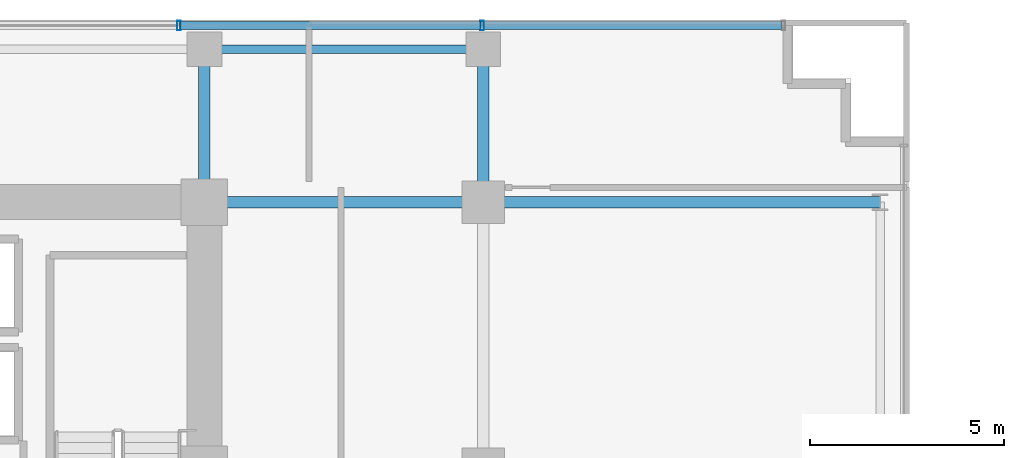
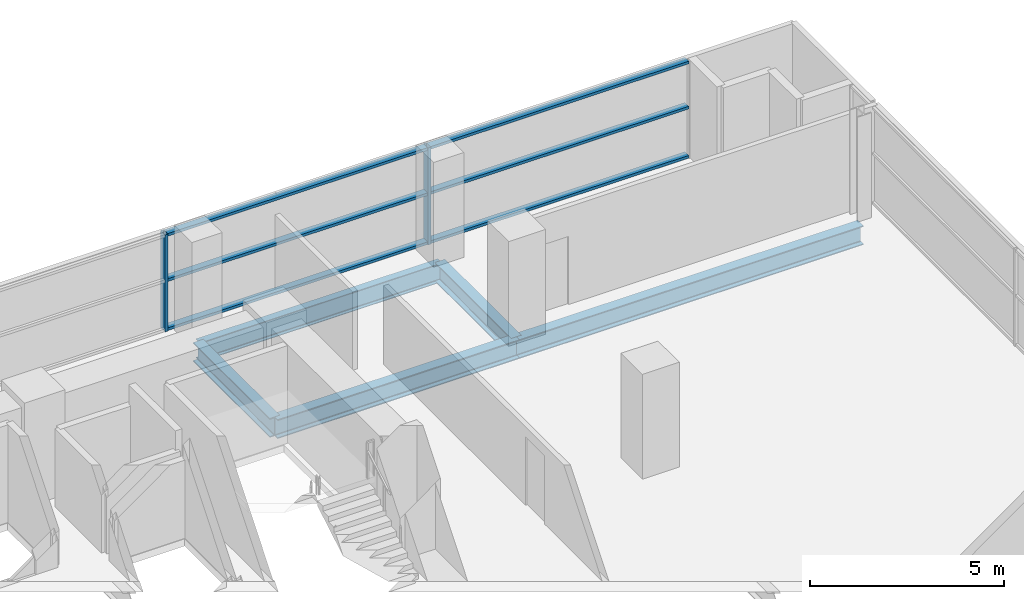
# One storey, part 18 of 28: 8 members, 5 beams, 1 element without a shape of its own.
"""IFC4 building model written with IfcOpenShell, lengths in metres."""

from ifc_helpers import new_model, si_unit, direction, frame, origin, origin_2d, place, context, subcontext, project, spatial, hollow_rectangle, i_section, extrude, source, transform, mapped, material, layer, layer_set, material_profile, profile_set, type_object, element, aggregate, save


model = new_model("IFC4")

# Units and contexts
model_context = context("Model", 3, precision=1e-05, world=origin(), true_north=direction((0.0, 1.0)))
body_context = subcontext(model_context, "Body", "Model", "MODEL_VIEW")
ifc_project = project(units=[si_unit("LENGTHUNIT", "METRE"), si_unit("AREAUNIT", "SQUARE_METRE"), si_unit("VOLUMEUNIT", "CUBIC_METRE"), si_unit("PLANEANGLEUNIT", "RADIAN"), si_unit("MASSUNIT", "GRAM", prefix="KILO")], contexts=[model_context])

# Site, building, storey
site_placement = place(None, origin())
site = spatial("IfcSite", under=ifc_project, at=site_placement, CompositionType="ELEMENT")
building_placement = place(site_placement, origin())
building = spatial("IfcBuilding", under=site, at=building_placement, Name="Zarnakvel Exchange Tower", CompositionType="ELEMENT")
storey_placement = place(building_placement, frame((0.0, 0.0, 57.10009765625)))
storey = spatial("IfcBuildingStorey", under=building, at=storey_placement, Name="L15", CompositionType="ELEMENT", Elevation=57.10009765625)

# Beams
ifc_material_1 = material(Name="Steel S355", Category="steel")
ifc_material_profile_1 = material_profile(ifc_material_1, i_section(OverallWidth=0.300048828125, OverallDepth=0.60009765625, WebThickness=0.015380859375, FlangeThickness=0.030029296875, FilletRadius=0.027099609375, at=origin_2d()))
ifc_profile_set_1 = profile_set([ifc_material_profile_1], Name="Steel S355")
beam_type_1 = type_object("IfcBeamType", Name="G-04", PredefinedType="BEAM", material=ifc_profile_set_1)
beam_1_placement = place(storey_placement, frame((14.39990234375, 13.5, -0.525146484375), z_axis=(1.0, 0.0, 0.0), x_axis=(0.0, 1.0, 0.0)))
element("IfcBeam", 1, at=beam_1_placement, inside=storey, type_object=beam_type_1, Name="L15 Tower E-W Frame Beam", PredefinedType="BEAM", context=body_context, shape_type="SweptSolid", body=[
    extrude(i_section(OverallWidth=0.300048828125, OverallDepth=0.60009765625, WebThickness=0.015380859375, FlangeThickness=0.030029296875, FilletRadius=0.027099609375, at=origin_2d()), origin(), (0.0, 0.0, 1.0), 7.2001953125),
])
beam_2_placement = place(storey_placement, frame((21.60009765625, 13.5, -0.525146484375), z_axis=(1.0, 0.0, 0.0), x_axis=(0.0, 1.0, 0.0)))
element("IfcBeam", 2, at=beam_2_placement, inside=storey, type_object=beam_type_1, Name="L15 Tower E-W Frame Beam", PredefinedType="BEAM", context=body_context, shape_type="SweptSolid", body=[
    extrude(i_section(OverallWidth=0.300048828125, OverallDepth=0.60009765625, WebThickness=0.015380859375, FlangeThickness=0.030029296875, FilletRadius=0.027099609375, at=origin_2d()), origin(), (0.0, 0.0, 1.0), 10.25),
])
for number, where, z_axis, x_axis, name in (
    (3, (14.39990234375, 13.5, -0.525146484375), (0.0, 1.0, 0.0), (-1.0, 0.0, 0.0), "L15 Tower N-S Frame Beam"),
    (4, (21.60009765625, 13.5, -0.525146484375), (0.0, 1.0, 0.0), (-1.0, 0.0, 0.0), "L15 Tower N-S Frame Beam"),
):
    element("IfcBeam", number, at=place(storey_placement, frame(where, z_axis=z_axis, x_axis=x_axis)), inside=storey, type_object=beam_type_1, Name=name, PredefinedType="BEAM", context=body_context, shape_type="SweptSolid", body=[
        extrude(i_section(OverallWidth=0.300048828125, OverallDepth=0.60009765625, WebThickness=0.015380859375, FlangeThickness=0.030029296875, FilletRadius=0.027099609375, at=origin_2d()), origin(), (0.0, 0.0, 1.0), 3.949951171875),
    ])
ifc_material_profile_2 = material_profile(ifc_material_1, i_section(OverallWidth=0.219970703125, OverallDepth=0.60009765625, WebThickness=0.011962890625, FlangeThickness=0.01904296875, FilletRadius=0.02392578125, at=origin_2d()))
ifc_profile_set_2 = profile_set([ifc_material_profile_2], Name="Steel S355")
beam_type_2 = type_object("IfcBeamType", Name="SP-01", PredefinedType="SPANDREL", material=ifc_profile_set_2)
beam_3_placement = place(storey_placement, frame((14.39990234375, 17.449951171875, -0.525146484375), z_axis=(1.0, 0.0, 0.0), x_axis=(0.0, 1.0, 0.0)))
element("IfcBeam", 5, at=beam_3_placement, inside=storey, type_object=beam_type_2, Name="L15 Tower E-W Frame Beam", PredefinedType="SPANDREL", context=body_context, shape_type="SweptSolid", body=[
    extrude(i_section(OverallWidth=0.219970703125, OverallDepth=0.60009765625, WebThickness=0.011962890625, FlangeThickness=0.01904296875, FilletRadius=0.02392578125, at=origin_2d()), origin(), (0.0, 0.0, 1.0), 7.2001953125),
])

# Curtain wall, members
ifc_material_2 = material(Name="Architectural Bronze Anodised Aluminium", Category="aluminium")
ifc_layer = layer(ifc_material_2, 0.239990234375)
ifc_layer_set = layer_set([ifc_layer], Name="Architectural Bronze Anodised Aluminium")
curtain_wall_type = type_object("IfcCurtainWallType", Name="CW-02", PredefinedType="NOTDEFINED", material=ifc_layer_set)
curtain_wall_placement = place(storey_placement, origin())
curtain_wall = element("IfcCurtainWall", 6, at=curtain_wall_placement, inside=storey, type_object=curtain_wall_type, Name="L15 Curtain Wall CW-L15-N1 (CW-02)", PredefinedType="NOTDEFINED")
ifc_material_profile_3 = material_profile(ifc_material_2, hollow_rectangle(XDim=0.199951171875, YDim=0.0849609375, WallThickness=0.0048828125, at=origin_2d()))
ifc_profile_set_3 = profile_set([ifc_material_profile_3], Name="Architectural Bronze Anodised Aluminium")
member_type_1 = type_object("IfcMemberType", Name="CWT-02", PredefinedType="USERDEFINED", material=ifc_profile_set_3)
shared_shape_1 = source(origin(), body_context, "Body", "SweptSolid", [
    extrude(hollow_rectangle(XDim=0.199951171875, YDim=0.0849609375, WallThickness=0.0048828125, at=origin_2d()), origin(), (0.0, 0.0, 1.0), 7.693603515625),
])
member_1_placement = place(storey_placement, frame((21.616455078125, 18.06005859375, 0.04248046875), z_axis=(1.0, 0.0, 0.0), x_axis=(0.0, 1.0, 0.0)))
member_1 = element("IfcMember", 7, at=member_1_placement, type_object=member_type_1, Name="CW-02 transom 7.1", ObjectType="TRANSOM", PredefinedType="USERDEFINED", context=body_context, shape_type="MappedRepresentation", body=[
    mapped(shared_shape_1, transform((0.0, 0.0, 0.0), x_axis=(1.0, 0.0, 0.0), y_axis=(0.0, 1.0, 0.0), z_axis=(0.0, 0.0, 1.0), scale=1.0)),
])
member_2_placement = place(storey_placement, frame((21.616455078125, 18.06005859375, 1.588623046875), z_axis=(1.0, 0.0, 0.0), x_axis=(0.0, 1.0, 0.0)))
member_2 = element("IfcMember", 8, at=member_2_placement, type_object=member_type_1, Name="CW-02 transom 7.2", ObjectType="TRANSOM", PredefinedType="USERDEFINED", context=body_context, shape_type="MappedRepresentation", body=[
    mapped(shared_shape_1, transform((0.0, 0.0, 0.0), x_axis=(1.0, 0.0, 0.0), y_axis=(0.0, 1.0, 0.0), z_axis=(0.0, 0.0, 1.0), scale=1.0)),
])
member_3_placement = place(storey_placement, frame((21.616455078125, 18.06005859375, 3.012451171875), z_axis=(1.0, 0.0, 0.0), x_axis=(0.0, 1.0, 0.0)))
member_3 = element("IfcMember", 9, at=member_3_placement, type_object=member_type_1, Name="CW-02 transom 7.3", ObjectType="TRANSOM", PredefinedType="USERDEFINED", context=body_context, shape_type="MappedRepresentation", body=[
    mapped(shared_shape_1, transform((0.0, 0.0, 0.0), x_axis=(1.0, 0.0, 0.0), y_axis=(0.0, 1.0, 0.0), z_axis=(0.0, 0.0, 1.0), scale=1.0)),
])
shared_shape_2 = source(origin(), body_context, "Body", "SweptSolid", [
    extrude(hollow_rectangle(XDim=0.199951171875, YDim=0.0849609375, WallThickness=0.0048828125, at=origin_2d()), origin(), (0.0, 0.0, 1.0), 7.738525390625),
])
member_4_placement = place(storey_placement, frame((13.787841796875, 18.06005859375, 0.04248046875), z_axis=(1.0, 0.0, 0.0), x_axis=(0.0, 1.0, 0.0)))
member_4 = element("IfcMember", 10, at=member_4_placement, type_object=member_type_1, Name="CW-02 transom 6.1", ObjectType="TRANSOM", PredefinedType="USERDEFINED", context=body_context, shape_type="MappedRepresentation", body=[
    mapped(shared_shape_2, transform((0.0, 0.0, 0.0), x_axis=(1.0, 0.0, 0.0), y_axis=(0.0, 1.0, 0.0), z_axis=(0.0, 0.0, 1.0), scale=1.0)),
])
member_5_placement = place(storey_placement, frame((13.787841796875, 18.06005859375, 1.588623046875), z_axis=(1.0, 0.0, 0.0), x_axis=(0.0, 1.0, 0.0)))
member_5 = element("IfcMember", 11, at=member_5_placement, type_object=member_type_1, Name="CW-02 transom 6.2", ObjectType="TRANSOM", PredefinedType="USERDEFINED", context=body_context, shape_type="MappedRepresentation", body=[
    mapped(shared_shape_2, transform((0.0, 0.0, 0.0), x_axis=(1.0, 0.0, 0.0), y_axis=(0.0, 1.0, 0.0), z_axis=(0.0, 0.0, 1.0), scale=1.0)),
])
member_6_placement = place(storey_placement, frame((13.787841796875, 18.06005859375, 3.012451171875), z_axis=(1.0, 0.0, 0.0), x_axis=(0.0, 1.0, 0.0)))
member_6 = element("IfcMember", 12, at=member_6_placement, type_object=member_type_1, Name="CW-02 transom 6.3", ObjectType="TRANSOM", PredefinedType="USERDEFINED", context=body_context, shape_type="MappedRepresentation", body=[
    mapped(shared_shape_2, transform((0.0, 0.0, 0.0), x_axis=(1.0, 0.0, 0.0), y_axis=(0.0, 1.0, 0.0), z_axis=(0.0, 0.0, 1.0), scale=1.0)),
])
ifc_material_profile_4 = material_profile(ifc_material_2, hollow_rectangle(XDim=0.239990234375, YDim=0.090087890625, WallThickness=0.006103515625, at=origin_2d()))
ifc_profile_set_4 = profile_set([ifc_material_profile_4], Name="Architectural Bronze Anodised Aluminium")
member_type_2 = type_object("IfcMemberType", Name="CWM-02", PredefinedType="MULLION", material=ifc_profile_set_4)
shared_shape_3 = source(origin(), body_context, "Body", "SweptSolid", [
    extrude(hollow_rectangle(XDim=0.239990234375, YDim=0.090087890625, WallThickness=0.006103515625, at=origin_2d()), origin(), (0.0, 0.0, 1.0), 3.054931640625),
])
member_7_placement = place(storey_placement, frame((13.742919921875, 18.06005859375, 0.0), z_axis=(0.0, 0.0, 1.0), x_axis=(0.0, 1.0, 0.0)))
member_7 = element("IfcMember", 13, at=member_7_placement, type_object=member_type_2, Name="CW-02 mullion 6", PredefinedType="MULLION", context=body_context, shape_type="MappedRepresentation", body=[
    mapped(shared_shape_3, transform((0.0, 0.0, 0.0), x_axis=(1.0, 0.0, 0.0), y_axis=(0.0, 1.0, 0.0), z_axis=(0.0, 0.0, 1.0), scale=1.0)),
])
member_8_placement = place(storey_placement, frame((21.571533203125, 18.06005859375, 0.0), z_axis=(0.0, 0.0, 1.0), x_axis=(0.0, 1.0, 0.0)))
member_8 = element("IfcMember", 14, at=member_8_placement, type_object=member_type_2, Name="CW-02 mullion 7", PredefinedType="MULLION", context=body_context, shape_type="MappedRepresentation", body=[
    mapped(shared_shape_3, transform((0.0, 0.0, 0.0), x_axis=(1.0, 0.0, 0.0), y_axis=(0.0, 1.0, 0.0), z_axis=(0.0, 0.0, 1.0), scale=1.0)),
])
aggregate(curtain_wall, [member_7, member_8, member_4, member_5, member_6, member_1, member_2, member_3])

save(model, "model.ifc")
